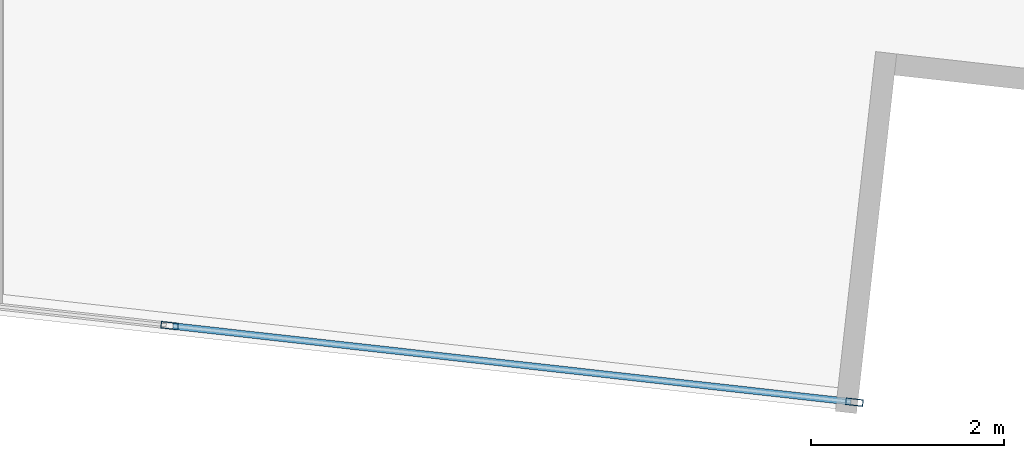
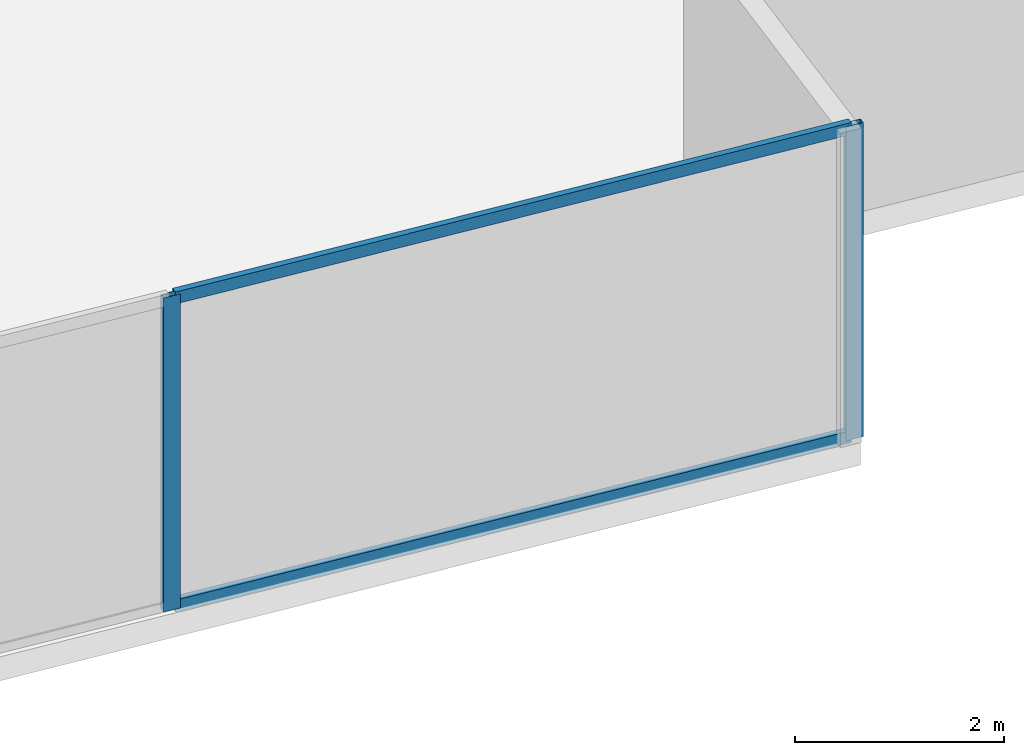
# One storey, part 10 of 31: 4 members, 1 element without a shape of its own.
"""IFC4 building model written with IfcOpenShell, lengths in metres."""

from ifc_helpers import new_model, si_unit, direction, frame, origin, origin_2d, place, context, subcontext, project, spatial, hollow_rectangle, extrude, source, transform, mapped, material, material_profile, profile_set, type_object, type_shapes, element, aggregate, save


model = new_model("IFC4")

# Units and contexts
model_context = context("Model", 3, precision=1e-05, world=origin(), true_north=direction((0.0, 1.0)))
body_context = subcontext(model_context, "Body", "Model", "MODEL_VIEW")
ifc_project = project(units=[si_unit("LENGTHUNIT", "METRE"), si_unit("AREAUNIT", "SQUARE_METRE"), si_unit("VOLUMEUNIT", "CUBIC_METRE"), si_unit("PLANEANGLEUNIT", "RADIAN"), si_unit("MASSUNIT", "GRAM", prefix="KILO")], contexts=[model_context])

# Site, building, storey
site_placement = place(None, origin())
site = spatial("IfcSite", under=ifc_project, at=site_placement, CompositionType="ELEMENT")
building_placement = place(site_placement, origin())
building = spatial("IfcBuilding", under=site, at=building_placement, Name="Krantzveldt Concourse Tower", CompositionType="ELEMENT")
storey_placement = place(building_placement, frame((0.0, 0.0, 56.60009765625)))
storey = spatial("IfcBuildingStorey", under=building, at=storey_placement, Name="L13", CompositionType="ELEMENT", Elevation=56.60009765625)

# Curtain wall, members
ifc_material = material(Name="Anodised aluminium 6063-T6", Category="aluminium")
curtain_wall_type = type_object("IfcCurtainWallType", Name="CW2", PredefinedType="USERDEFINED", material=ifc_material)
curtain_wall_placement = place(storey_placement, origin())
curtain_wall = element("IfcCurtainWall", 1, at=curtain_wall_placement, inside=storey, type_object=curtain_wall_type, Name="CW-L13-F04", ObjectType="UNITISED CURTAIN WALL", PredefinedType="USERDEFINED")
ifc_material_profile_1 = material_profile(ifc_material, hollow_rectangle(XDim=0.070068359375, YDim=0.179931640625, WallThickness=0.0048828125, at=origin_2d()), Name="Anodised aluminium 6063-T6", Category="aluminium")
ifc_profile_set_1 = profile_set([ifc_material_profile_1], Name="Anodised aluminium 6063-T6 - ALU-MULL 180x70x5")
member_type_1 = type_object("IfcMemberType", Name="CW-MUL-180", PredefinedType="MULLION", material=ifc_profile_set_1)
shared_shape_1 = source(origin(), body_context, "Body", "SweptSolid", [
    extrude(hollow_rectangle(XDim=0.070068359375, YDim=0.179931640625, WallThickness=0.0048828125, at=origin_2d()), origin(), (0.0, 0.0, 1.0), 3.669921875),
])
type_shapes(member_type_1, [shared_shape_1])
member_1_placement = place(storey_placement, frame((47.478759765625, 0.3525390625, 0.0), z_axis=(0.0, 0.0, 1.0), x_axis=(0.111035342863, 0.993816458223, 0.0)))
member_1 = element("IfcMember", 2, at=member_1_placement, type_object=member_type_1, Name="CW-Z12 mullion 6", PredefinedType="MULLION", context=body_context, shape_type="MappedRepresentation", body=[
    mapped(shared_shape_1, transform((0.0, 0.0, 0.0), x_axis=(1.0, 0.0, 0.0), y_axis=(0.0, 1.0, 0.0), z_axis=(0.0, 0.0, 1.0), scale=1.0)),
])
member_2_placement = place(storey_placement, frame((54.56640625, -0.439453125, 0.0), z_axis=(0.0, 0.0, 1.0), x_axis=(0.111035342863, 0.993816458223, 0.0)))
member_2 = element("IfcMember", 3, at=member_2_placement, type_object=member_type_1, Name="CW-Z12 mullion 7", PredefinedType="MULLION", context=body_context, shape_type="MappedRepresentation", body=[
    mapped(shared_shape_1, transform((0.0, 0.0, 0.0), x_axis=(1.0, 0.0, 0.0), y_axis=(0.0, 1.0, 0.0), z_axis=(0.0, 0.0, 1.0), scale=1.0)),
])
ifc_material_profile_2 = material_profile(ifc_material, hollow_rectangle(XDim=0.070068359375, YDim=0.139892578125, WallThickness=0.0048828125, at=origin_2d()), Name="Anodised aluminium 6063-T6", Category="aluminium")
ifc_profile_set_2 = profile_set([ifc_material_profile_2], Name="Anodised aluminium 6063-T6 - ALU-TRAN 140x70x5")
member_type_2 = type_object("IfcMemberType", Name="CW-TRN-150", PredefinedType="USERDEFINED", material=ifc_profile_set_2)
shared_shape_2 = source(origin(), body_context, "Body", "SweptSolid", [
    extrude(hollow_rectangle(XDim=0.070068359375, YDim=0.139892578125, WallThickness=0.0048828125, at=origin_2d()), origin(), (0.0, 0.0, 1.0), 7.0615234375),
])
type_shapes(member_type_2, [shared_shape_2])
member_3_placement = place(storey_placement, frame((47.513671875, 0.3486328125, 0.034912109375), z_axis=(0.993814816866, -0.111050032763, 0.0), x_axis=(0.111050032763, 0.993814816866, 0.0)))
member_3 = element("IfcMember", 4, at=member_3_placement, type_object=member_type_2, Name="CW-Z12 transom 6.1", ObjectType="TRANSOM", PredefinedType="USERDEFINED", context=body_context, shape_type="MappedRepresentation", body=[
    mapped(shared_shape_2, transform((0.0, 0.0, 0.0), x_axis=(1.0, 0.0, 0.0), y_axis=(0.0, 1.0, 0.0), z_axis=(0.0, 0.0, 1.0), scale=1.0)),
])
member_4_placement = place(storey_placement, frame((47.513671875, 0.3486328125, 3.635009765625), z_axis=(0.993814816866, -0.111050032763, 0.0), x_axis=(0.111050032763, 0.993814816866, 0.0)))
member_4 = element("IfcMember", 5, at=member_4_placement, type_object=member_type_2, Name="CW-Z12 transom 6.2", ObjectType="TRANSOM", PredefinedType="USERDEFINED", context=body_context, shape_type="MappedRepresentation", body=[
    mapped(shared_shape_2, transform((0.0, 0.0, 0.0), x_axis=(1.0, 0.0, 0.0), y_axis=(0.0, 1.0, 0.0), z_axis=(0.0, 0.0, 1.0), scale=1.0)),
])
aggregate(curtain_wall, [member_1, member_2, member_3, member_4])

save(model, "model.ifc")
